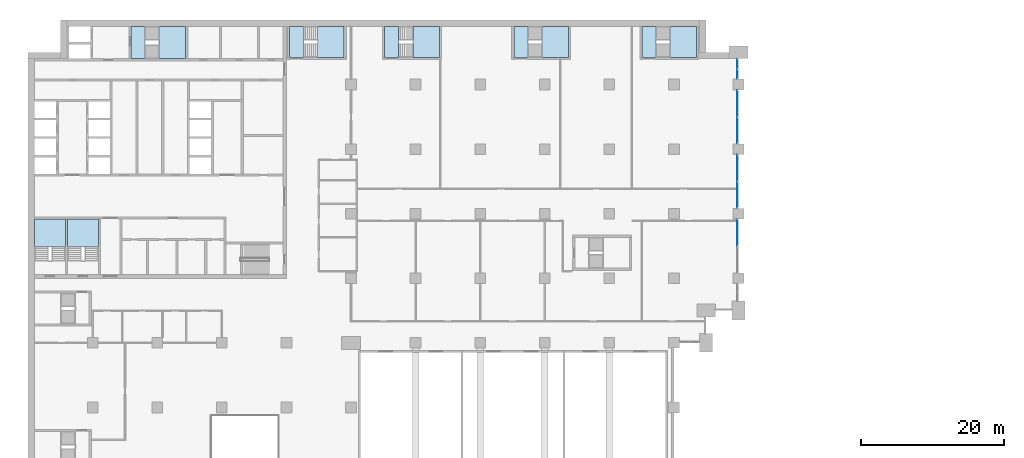
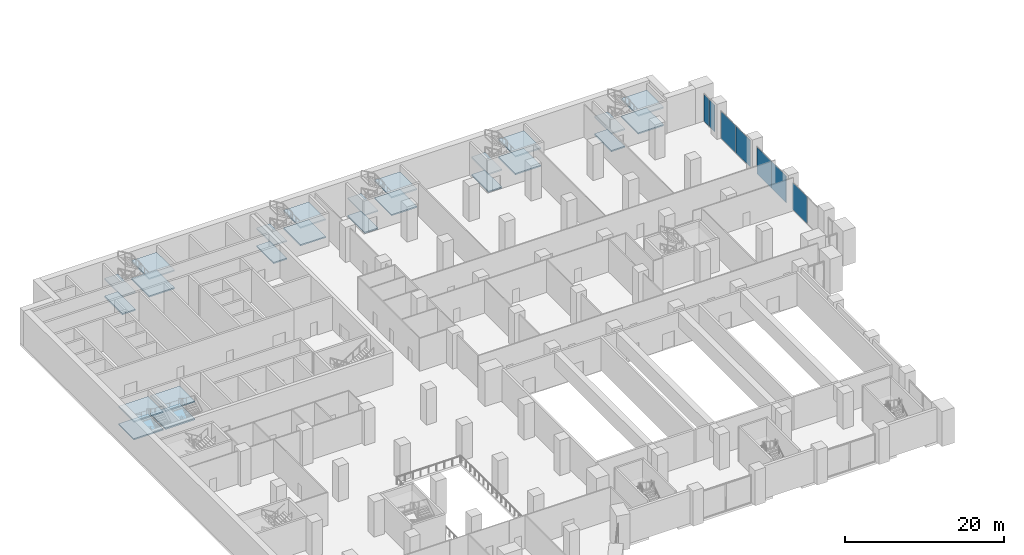
# One storey, part 13 of 43: 24 slabs, 7 plates, 11 elements without a shape of their own.
"""IFC4 building model written with IfcOpenShell, lengths in metres."""

from ifc_helpers import new_model, si_unit, direction, frame, origin, origin_2d, place, context, subcontext, project, spatial, polyline, rectangle, outline, extrude, material, layer, layer_set, type_object, element, aggregate, save


model = new_model("IFC4")

# Units and contexts
model_context = context("Model", 3, precision=1e-05, world=origin(), true_north=direction((0.0, 1.0)))
body_context = subcontext(model_context, "Body", "Model", "MODEL_VIEW")
ifc_project = project(units=[si_unit("LENGTHUNIT", "METRE"), si_unit("AREAUNIT", "SQUARE_METRE"), si_unit("VOLUMEUNIT", "CUBIC_METRE"), si_unit("PLANEANGLEUNIT", "RADIAN"), si_unit("MASSUNIT", "GRAM", prefix="KILO")], contexts=[model_context])

# Site, building, storey
site_placement = place(None, origin())
site = spatial("IfcSite", under=ifc_project, at=site_placement, CompositionType="ELEMENT")
building_placement = place(site_placement, origin())
building = spatial("IfcBuilding", under=site, at=building_placement, Name="Hunhe Ridgeline Campus", CompositionType="ELEMENT")
storey_placement = place(building_placement, frame((0.0, 0.0, 11.39990234375)))
storey = spatial("IfcBuildingStorey", under=building, at=storey_placement, Name="L02", CompositionType="ELEMENT", Elevation=11.39990234375)

# Curtain wall, plate
ifc_material_1 = material(Name="Aluminium and glass", Category="aluminium")
curtain_wall_type = type_object("IfcCurtainWallType", Name="Podium curtain wall CW-2", PredefinedType="NOTDEFINED", material=ifc_material_1)
curtain_wall_1_placement = place(storey_placement, origin())
curtain_wall_1 = element("IfcCurtainWall", 1, at=curtain_wall_1_placement, inside=storey, type_object=curtain_wall_type, Name="L02 podium curtain wall 5", PredefinedType="NOTDEFINED")
ifc_material_2 = material(Name="Clear glass", Category="glass")
ifc_layer_1 = layer(ifc_material_2, 0.028076171875)
ifc_layer_set_1 = layer_set([ifc_layer_1], Name="CW-2 clear glass panel 28")
plate_type = type_object("IfcPlateType", Name="CW-2 clear glass panel 28", PredefinedType="CURTAIN_PANEL", material=ifc_layer_set_1)
plate_1_placement = place(storey_placement, frame((98.85009765625, 69.360107421875, 0.06005859375), z_axis=(0.0, 0.0, 1.0), x_axis=(0.0, 1.0, 0.0)))
plate_1 = element("IfcPlate", 2, at=plate_1_placement, type_object=plate_type, Name="CW2 panel 2.1", PredefinedType="CURTAIN_PANEL", context=body_context, shape_type="SweptSolid", body=[
    extrude(rectangle(XDim=3.659912109375, YDim=0.028076171875, at=origin_2d()), origin(), (0.0, 0.0, 1.0), 4.1298828125),
])
aggregate(curtain_wall_1, [plate_1])

# Curtain wall, plates
curtain_wall_2_placement = place(storey_placement, origin())
curtain_wall_2 = element("IfcCurtainWall", 3, at=curtain_wall_2_placement, inside=storey, type_object=curtain_wall_type, Name="L02 podium curtain wall 6", PredefinedType="NOTDEFINED")
plate_2_placement = place(storey_placement, frame((98.85009765625, 74.639892578125, 0.06005859375), z_axis=(0.0, 0.0, 1.0), x_axis=(0.0, 1.0, 0.0)))
plate_2 = element("IfcPlate", 4, at=plate_2_placement, type_object=plate_type, Name="CW2 panel 1.1", PredefinedType="CURTAIN_PANEL", context=body_context, shape_type="SweptSolid", body=[
    extrude(rectangle(XDim=3.659912109375, YDim=0.028076171875, at=origin_2d()), origin(), (0.0, 0.0, 1.0), 4.1298828125),
])
plate_3_placement = place(storey_placement, frame((98.85009765625, 78.360107421875, 0.06005859375), z_axis=(0.0, 0.0, 1.0), x_axis=(0.0, 1.0, 0.0)))
plate_3 = element("IfcPlate", 5, at=plate_3_placement, type_object=plate_type, Name="CW2 panel 2.1", PredefinedType="CURTAIN_PANEL", context=body_context, shape_type="SweptSolid", body=[
    extrude(rectangle(XDim=3.659912109375, YDim=0.028076171875, at=origin_2d()), origin(), (0.0, 0.0, 1.0), 4.1298828125),
])
aggregate(curtain_wall_2, [plate_2, plate_3])

curtain_wall_3_placement = place(storey_placement, origin())
curtain_wall_3 = element("IfcCurtainWall", 6, at=curtain_wall_3_placement, inside=storey, type_object=curtain_wall_type, Name="L02 podium curtain wall 7", PredefinedType="NOTDEFINED")
plate_4_placement = place(storey_placement, frame((98.85009765625, 83.639892578125, 0.06005859375), z_axis=(0.0, 0.0, 1.0), x_axis=(0.0, 1.0, 0.0)))
plate_4 = element("IfcPlate", 7, at=plate_4_placement, type_object=plate_type, Name="CW2 panel 1.1", PredefinedType="CURTAIN_PANEL", context=body_context, shape_type="SweptSolid", body=[
    extrude(rectangle(XDim=3.659912109375, YDim=0.028076171875, at=origin_2d()), origin(), (0.0, 0.0, 1.0), 4.1298828125),
])
plate_5_placement = place(storey_placement, frame((98.85009765625, 87.360107421875, 0.06005859375), z_axis=(0.0, 0.0, 1.0), x_axis=(0.0, 1.0, 0.0)))
plate_5 = element("IfcPlate", 8, at=plate_5_placement, type_object=plate_type, Name="CW2 panel 2.1", PredefinedType="CURTAIN_PANEL", context=body_context, shape_type="SweptSolid", body=[
    extrude(rectangle(XDim=3.659912109375, YDim=0.028076171875, at=origin_2d()), origin(), (0.0, 0.0, 1.0), 4.1298828125),
])
aggregate(curtain_wall_3, [plate_4, plate_5])

curtain_wall_4_placement = place(storey_placement, origin())
curtain_wall_4 = element("IfcCurtainWall", 9, at=curtain_wall_4_placement, inside=storey, type_object=curtain_wall_type, Name="L02 podium curtain wall 8", PredefinedType="NOTDEFINED")
plate_6_placement = place(storey_placement, frame((98.85009765625, 91.4775390625, 0.06005859375), z_axis=(0.0, 0.0, 1.0), x_axis=(0.0, 1.0, 0.0)))
plate_6 = element("IfcPlate", 10, at=plate_6_placement, type_object=plate_type, Name="CW2 panel 1.1", PredefinedType="CURTAIN_PANEL", context=body_context, shape_type="SweptSolid", body=[
    extrude(rectangle(XDim=1.3349609375, YDim=0.028076171875, at=origin_2d()), origin(), (0.0, 0.0, 1.0), 4.1298828125),
])
plate_7_placement = place(storey_placement, frame((98.85009765625, 92.87255859375, 0.06005859375), z_axis=(0.0, 0.0, 1.0), x_axis=(0.0, 1.0, 0.0)))
plate_7 = element("IfcPlate", 11, at=plate_7_placement, type_object=plate_type, Name="CW2 panel 2.1", PredefinedType="CURTAIN_PANEL", context=body_context, shape_type="SweptSolid", body=[
    extrude(rectangle(XDim=1.3349609375, YDim=0.028076171875, at=origin_2d()), origin(), (0.0, 0.0, 1.0), 4.1298828125),
])
aggregate(curtain_wall_4, [plate_6, plate_7])

# Stair, slabs
ifc_material_3 = material(Name="Concrete C40", Category="concrete")
stair_type = type_object("IfcStairType", Name="Reinforced concrete dog-leg stair 1950 Concrete C40", PredefinedType="HALF_TURN_STAIR", material=ifc_material_3)
stair_1_placement = place(storey_placement, origin())
stair_1 = element("IfcStair", 12, at=stair_1_placement, inside=storey, type_object=stair_type, Name="L02 S1", PredefinedType="HALF_TURN_STAIR")
ifc_layer_2 = layer(ifc_material_3, 0.199951171875)
ifc_layer_set_2 = layer_set([ifc_layer_2], Name="Reinforced concrete stair landing 200 Concrete C40")
slab_type = type_object("IfcSlabType", Name="Reinforced concrete stair landing 200 Concrete C40", PredefinedType="LANDING", material=ifc_layer_set_2)
slab_1_placement = place(storey_placement, frame((0.0, 0.0, 1.150146484375)))
slab_1 = element("IfcSlab", 13, at=slab_1_placement, type_object=slab_type, Name="ST1 landing 1", PredefinedType="LANDING", context=body_context, shape_type="SweptSolid", body=[
    extrude(outline(polyline([(18.260009765625, 93.60009765625), (21.949951171875, 93.60009765625), (21.949951171875, 98.10009765625), (18.260009765625, 98.10009765625), (18.260009765625, 93.60009765625)])), origin(), (0.0, 0.0, 1.0), 0.199951171875),
])
slab_2_placement = place(storey_placement, frame((0.0, 0.0, 2.5)))
slab_2 = element("IfcSlab", 14, at=slab_2_placement, type_object=slab_type, Name="ST1 landing 2", PredefinedType="LANDING", context=body_context, shape_type="SweptSolid", body=[
    extrude(outline(polyline([(14.35009765625, 93.60009765625), (16.300048828125, 93.60009765625), (16.300048828125, 98.10009765625), (14.35009765625, 98.10009765625), (14.35009765625, 93.60009765625)])), origin(), (0.0, 0.0, 1.0), 0.2001953125),
])
slab_3_placement = place(storey_placement, frame((0.0, 0.0, 3.85009765625)))
slab_3 = element("IfcSlab", 15, at=slab_3_placement, type_object=slab_type, Name="ST1 landing 3", PredefinedType="LANDING", context=body_context, shape_type="SweptSolid", body=[
    extrude(outline(polyline([(18.260009765625, 93.60009765625), (21.949951171875, 93.60009765625), (21.949951171875, 98.10009765625), (18.260009765625, 98.10009765625), (18.260009765625, 93.60009765625)])), origin(), (0.0, 0.0, 1.0), 0.199951171875),
])
aggregate(stair_1, [slab_1, slab_2, slab_3])

# Slab
slab_4_placement = place(storey_placement, frame((0.0, 0.0, -0.199951171875)))
element("IfcSlab", 16, at=slab_4_placement, inside=storey, type_object=slab_type, Name="L02 stair S1 floor landing", PredefinedType="LANDING", context=body_context, shape_type="SweptSolid", body=[
    extrude(outline(polyline([(14.35009765625, 93.60009765625), (16.300048828125, 93.60009765625), (16.300048828125, 98.10009765625), (14.35009765625, 98.10009765625), (14.35009765625, 93.60009765625)])), origin(), (0.0, 0.0, 1.0), 0.199951171875),
])

# Stair, slabs
stair_2_placement = place(storey_placement, origin())
stair_2 = element("IfcStair", 17, at=stair_2_placement, inside=storey, type_object=stair_type, Name="L02 S3", PredefinedType="HALF_TURN_STAIR")
slab_5_placement = place(storey_placement, frame((0.0, 0.0, 1.150146484375)))
slab_5 = element("IfcSlab", 18, at=slab_5_placement, type_object=slab_type, Name="ST3 landing 1", PredefinedType="LANDING", context=body_context, shape_type="SweptSolid", body=[
    extrude(outline(polyline([(5.199951171875, 67.409912109375), (5.199951171875, 71.25), (0.89990234375, 71.25), (0.89990234375, 67.409912109375), (5.199951171875, 67.409912109375)])), origin(), (0.0, 0.0, 1.0), 0.199951171875),
])
slab_6_placement = place(storey_placement, frame((0.0, 0.0, 3.85009765625)))
slab_6 = element("IfcSlab", 19, at=slab_6_placement, type_object=slab_type, Name="ST3 landing 3", PredefinedType="LANDING", context=body_context, shape_type="SweptSolid", body=[
    extrude(outline(polyline([(5.199951171875, 67.409912109375), (5.199951171875, 71.25), (0.89990234375, 71.25), (0.89990234375, 67.409912109375), (5.199951171875, 67.409912109375)])), origin(), (0.0, 0.0, 1.0), 0.199951171875),
])
aggregate(stair_2, [slab_5, slab_6])

stair_3_placement = place(storey_placement, origin())
stair_3 = element("IfcStair", 20, at=stair_3_placement, inside=storey, type_object=stair_type, Name="L02 S4", PredefinedType="HALF_TURN_STAIR")
slab_7_placement = place(storey_placement, frame((0.0, 0.0, 1.150146484375)))
slab_7 = element("IfcSlab", 21, at=slab_7_placement, type_object=slab_type, Name="ST4 landing 1", PredefinedType="LANDING", context=body_context, shape_type="SweptSolid", body=[
    extrude(outline(polyline([(9.800048828125, 67.409912109375), (9.800048828125, 71.25), (5.5, 71.25), (5.5, 67.409912109375), (9.800048828125, 67.409912109375)])), origin(), (0.0, 0.0, 1.0), 0.199951171875),
])
slab_8_placement = place(storey_placement, frame((0.0, 0.0, 3.85009765625)))
slab_8 = element("IfcSlab", 22, at=slab_8_placement, type_object=slab_type, Name="ST4 landing 3", PredefinedType="LANDING", context=body_context, shape_type="SweptSolid", body=[
    extrude(outline(polyline([(9.800048828125, 67.409912109375), (9.800048828125, 71.25), (5.5, 71.25), (5.5, 67.409912109375), (9.800048828125, 67.409912109375)])), origin(), (0.0, 0.0, 1.0), 0.199951171875),
])
aggregate(stair_3, [slab_7, slab_8])

stair_4_placement = place(storey_placement, origin())
stair_4 = element("IfcStair", 23, at=stair_4_placement, inside=storey, type_object=stair_type, Name="L02 E1", PredefinedType="HALF_TURN_STAIR")
slab_9_placement = place(storey_placement, frame((0.0, 0.0, 1.150146484375)))
slab_9 = element("IfcSlab", 24, at=slab_9_placement, type_object=slab_type, Name="ST5 landing 1", PredefinedType="LANDING", context=body_context, shape_type="SweptSolid", body=[
    extrude(outline(polyline([(40.360107421875, 93.800048828125), (44.050048828125, 93.800048828125), (44.050048828125, 98.10009765625), (40.360107421875, 98.10009765625), (40.360107421875, 93.800048828125)])), origin(), (0.0, 0.0, 1.0), 0.199951171875),
])
slab_10_placement = place(storey_placement, frame((0.0, 0.0, 2.5)))
slab_10 = element("IfcSlab", 25, at=slab_10_placement, type_object=slab_type, Name="ST5 landing 2", PredefinedType="LANDING", context=body_context, shape_type="SweptSolid", body=[
    extrude(outline(polyline([(36.449951171875, 93.800048828125), (38.39990234375, 93.800048828125), (38.39990234375, 98.10009765625), (36.449951171875, 98.10009765625), (36.449951171875, 93.800048828125)])), origin(), (0.0, 0.0, 1.0), 0.2001953125),
])
slab_11_placement = place(storey_placement, frame((0.0, 0.0, 3.85009765625)))
slab_11 = element("IfcSlab", 26, at=slab_11_placement, type_object=slab_type, Name="ST5 landing 3", PredefinedType="LANDING", context=body_context, shape_type="SweptSolid", body=[
    extrude(outline(polyline([(40.360107421875, 93.800048828125), (44.050048828125, 93.800048828125), (44.050048828125, 98.10009765625), (40.360107421875, 98.10009765625), (40.360107421875, 93.800048828125)])), origin(), (0.0, 0.0, 1.0), 0.199951171875),
])
aggregate(stair_4, [slab_9, slab_10, slab_11])

# Slab
slab_12_placement = place(storey_placement, frame((0.0, 0.0, -0.199951171875)))
element("IfcSlab", 27, at=slab_12_placement, inside=storey, type_object=slab_type, Name="L02 stair E1 floor landing", PredefinedType="LANDING", context=body_context, shape_type="SweptSolid", body=[
    extrude(outline(polyline([(36.449951171875, 93.800048828125), (38.39990234375, 93.800048828125), (38.39990234375, 98.10009765625), (36.449951171875, 98.10009765625), (36.449951171875, 93.800048828125)])), origin(), (0.0, 0.0, 1.0), 0.199951171875),
])

# Stair, slabs
stair_5_placement = place(storey_placement, origin())
stair_5 = element("IfcStair", 28, at=stair_5_placement, inside=storey, type_object=stair_type, Name="L02 E2", PredefinedType="HALF_TURN_STAIR")
slab_13_placement = place(storey_placement, frame((0.0, 0.0, 1.150146484375)))
slab_13 = element("IfcSlab", 29, at=slab_13_placement, type_object=slab_type, Name="ST6 landing 1", PredefinedType="LANDING", context=body_context, shape_type="SweptSolid", body=[
    extrude(outline(polyline([(53.610107421875, 93.800048828125), (57.300048828125, 93.800048828125), (57.300048828125, 98.10009765625), (53.610107421875, 98.10009765625), (53.610107421875, 93.800048828125)])), origin(), (0.0, 0.0, 1.0), 0.199951171875),
])
slab_14_placement = place(storey_placement, frame((0.0, 0.0, 2.5)))
slab_14 = element("IfcSlab", 30, at=slab_14_placement, type_object=slab_type, Name="ST6 landing 2", PredefinedType="LANDING", context=body_context, shape_type="SweptSolid", body=[
    extrude(outline(polyline([(49.699951171875, 93.800048828125), (51.64990234375, 93.800048828125), (51.64990234375, 98.10009765625), (49.699951171875, 98.10009765625), (49.699951171875, 93.800048828125)])), origin(), (0.0, 0.0, 1.0), 0.2001953125),
])
slab_15_placement = place(storey_placement, frame((0.0, 0.0, 3.85009765625)))
slab_15 = element("IfcSlab", 31, at=slab_15_placement, type_object=slab_type, Name="ST6 landing 3", PredefinedType="LANDING", context=body_context, shape_type="SweptSolid", body=[
    extrude(outline(polyline([(53.610107421875, 93.800048828125), (57.300048828125, 93.800048828125), (57.300048828125, 98.10009765625), (53.610107421875, 98.10009765625), (53.610107421875, 93.800048828125)])), origin(), (0.0, 0.0, 1.0), 0.199951171875),
])
aggregate(stair_5, [slab_13, slab_14, slab_15])

# Slab
slab_16_placement = place(storey_placement, frame((0.0, 0.0, -0.199951171875)))
element("IfcSlab", 32, at=slab_16_placement, inside=storey, type_object=slab_type, Name="L02 stair E2 floor landing", PredefinedType="LANDING", context=body_context, shape_type="SweptSolid", body=[
    extrude(outline(polyline([(49.699951171875, 93.800048828125), (51.64990234375, 93.800048828125), (51.64990234375, 98.10009765625), (49.699951171875, 98.10009765625), (49.699951171875, 93.800048828125)])), origin(), (0.0, 0.0, 1.0), 0.199951171875),
])

# Stair, slabs
stair_6_placement = place(storey_placement, origin())
stair_6 = element("IfcStair", 33, at=stair_6_placement, inside=storey, type_object=stair_type, Name="L02 E3", PredefinedType="HALF_TURN_STAIR")
slab_17_placement = place(storey_placement, frame((0.0, 0.0, 1.150146484375)))
slab_17 = element("IfcSlab", 34, at=slab_17_placement, type_object=slab_type, Name="ST7 landing 1", PredefinedType="LANDING", context=body_context, shape_type="SweptSolid", body=[
    extrude(outline(polyline([(71.610107421875, 93.800048828125), (75.300048828125, 93.800048828125), (75.300048828125, 98.10009765625), (71.610107421875, 98.10009765625), (71.610107421875, 93.800048828125)])), origin(), (0.0, 0.0, 1.0), 0.199951171875),
])
slab_18_placement = place(storey_placement, frame((0.0, 0.0, 2.5)))
slab_18 = element("IfcSlab", 35, at=slab_18_placement, type_object=slab_type, Name="ST7 landing 2", PredefinedType="LANDING", context=body_context, shape_type="SweptSolid", body=[
    extrude(outline(polyline([(67.699951171875, 93.800048828125), (69.64990234375, 93.800048828125), (69.64990234375, 98.10009765625), (67.699951171875, 98.10009765625), (67.699951171875, 93.800048828125)])), origin(), (0.0, 0.0, 1.0), 0.2001953125),
])
slab_19_placement = place(storey_placement, frame((0.0, 0.0, 3.85009765625)))
slab_19 = element("IfcSlab", 36, at=slab_19_placement, type_object=slab_type, Name="ST7 landing 3", PredefinedType="LANDING", context=body_context, shape_type="SweptSolid", body=[
    extrude(outline(polyline([(71.610107421875, 93.800048828125), (75.300048828125, 93.800048828125), (75.300048828125, 98.10009765625), (71.610107421875, 98.10009765625), (71.610107421875, 93.800048828125)])), origin(), (0.0, 0.0, 1.0), 0.199951171875),
])
aggregate(stair_6, [slab_17, slab_18, slab_19])

# Slab
slab_20_placement = place(storey_placement, frame((0.0, 0.0, -0.199951171875)))
element("IfcSlab", 37, at=slab_20_placement, inside=storey, type_object=slab_type, Name="L02 stair E3 floor landing", PredefinedType="LANDING", context=body_context, shape_type="SweptSolid", body=[
    extrude(outline(polyline([(67.699951171875, 93.800048828125), (69.64990234375, 93.800048828125), (69.64990234375, 98.10009765625), (67.699951171875, 98.10009765625), (67.699951171875, 93.800048828125)])), origin(), (0.0, 0.0, 1.0), 0.199951171875),
])

# Stair, slabs
stair_7_placement = place(storey_placement, origin())
stair_7 = element("IfcStair", 38, at=stair_7_placement, inside=storey, type_object=stair_type, Name="L02 E4", PredefinedType="HALF_TURN_STAIR")
slab_21_placement = place(storey_placement, frame((0.0, 0.0, 1.150146484375)))
slab_21 = element("IfcSlab", 39, at=slab_21_placement, type_object=slab_type, Name="ST8 landing 1", PredefinedType="LANDING", context=body_context, shape_type="SweptSolid", body=[
    extrude(outline(polyline([(89.4599609375, 93.800048828125), (93.14990234375, 93.800048828125), (93.14990234375, 98.10009765625), (89.4599609375, 98.10009765625), (89.4599609375, 93.800048828125)])), origin(), (0.0, 0.0, 1.0), 0.199951171875),
])
slab_22_placement = place(storey_placement, frame((0.0, 0.0, 2.5)))
slab_22 = element("IfcSlab", 40, at=slab_22_placement, type_object=slab_type, Name="ST8 landing 2", PredefinedType="LANDING", context=body_context, shape_type="SweptSolid", body=[
    extrude(outline(polyline([(85.550048828125, 93.800048828125), (87.5, 93.800048828125), (87.5, 98.10009765625), (85.550048828125, 98.10009765625), (85.550048828125, 93.800048828125)])), origin(), (0.0, 0.0, 1.0), 0.2001953125),
])
slab_23_placement = place(storey_placement, frame((0.0, 0.0, 3.85009765625)))
slab_23 = element("IfcSlab", 41, at=slab_23_placement, type_object=slab_type, Name="ST8 landing 3", PredefinedType="LANDING", context=body_context, shape_type="SweptSolid", body=[
    extrude(outline(polyline([(89.4599609375, 93.800048828125), (93.14990234375, 93.800048828125), (93.14990234375, 98.10009765625), (89.4599609375, 98.10009765625), (89.4599609375, 93.800048828125)])), origin(), (0.0, 0.0, 1.0), 0.199951171875),
])
aggregate(stair_7, [slab_21, slab_22, slab_23])

# Slab
slab_24_placement = place(storey_placement, frame((0.0, 0.0, -0.199951171875)))
element("IfcSlab", 42, at=slab_24_placement, inside=storey, type_object=slab_type, Name="L02 stair E4 floor landing", PredefinedType="LANDING", context=body_context, shape_type="SweptSolid", body=[
    extrude(outline(polyline([(85.550048828125, 93.800048828125), (87.5, 93.800048828125), (87.5, 98.10009765625), (85.550048828125, 98.10009765625), (85.550048828125, 93.800048828125)])), origin(), (0.0, 0.0, 1.0), 0.199951171875),
])

save(model, "model.ifc")
